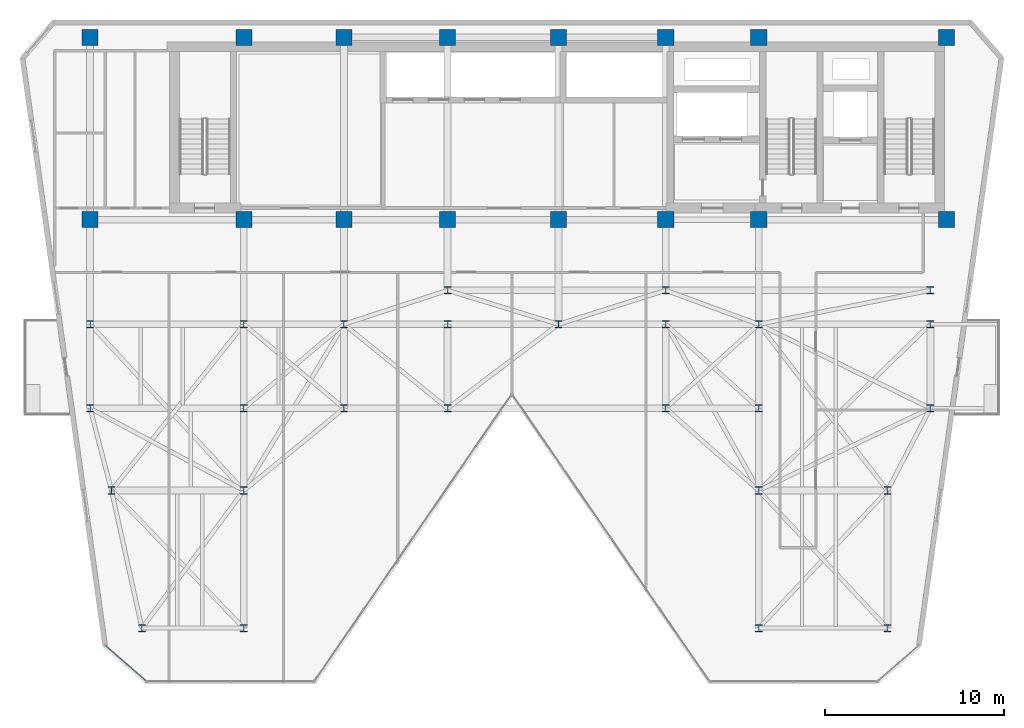
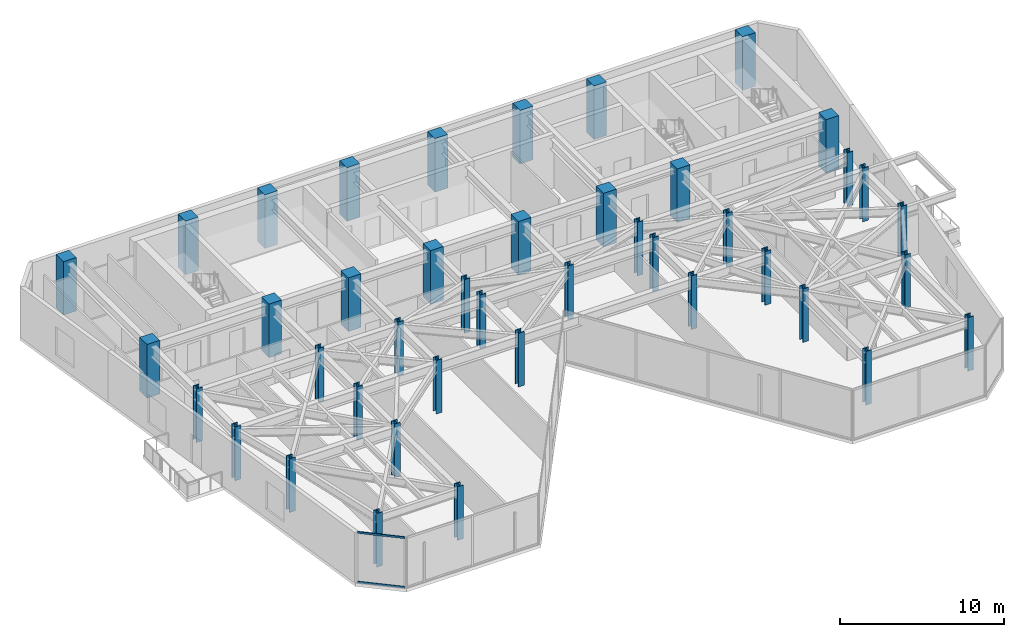
# One storey, part 1 of 21: 42 columns, 2 members, 1 element without a shape of its own.
"""IFC4 building model written with IfcOpenShell, lengths in metres."""

from ifc_helpers import new_model, si_unit, direction, frame, origin, origin_2d, place, context, subcontext, project, spatial, rectangle, hollow_rectangle, i_section, extrude, material, layer, layer_set, material_profile, profile_set, type_object, element, aggregate, save


model = new_model("IFC4")

# Units and contexts
model_context = context("Model", 3, precision=1e-05, world=origin(), true_north=direction((0.0, 1.0)))
body_context = subcontext(model_context, "Body", "Model", "MODEL_VIEW")
ifc_project = project(units=[si_unit("LENGTHUNIT", "METRE"), si_unit("AREAUNIT", "SQUARE_METRE"), si_unit("VOLUMEUNIT", "CUBIC_METRE"), si_unit("PLANEANGLEUNIT", "RADIAN"), si_unit("MASSUNIT", "GRAM", prefix="KILO")], contexts=[model_context])

# Site, building, storey
site_placement = place(None, origin())
site = spatial("IfcSite", under=ifc_project, at=site_placement, CompositionType="ELEMENT")
building_placement = place(site_placement, origin())
building = spatial("IfcBuilding", under=site, at=building_placement, Name="Kravanh Interchange Tower", CompositionType="ELEMENT")
storey_placement = place(building_placement, frame((0.0, 0.0, 184.5)))
storey = spatial("IfcBuildingStorey", under=building, at=storey_placement, Name="L44", CompositionType="ELEMENT", Elevation=184.5)

# Columns
ifc_material_1 = material(Name="Concrete C60/75", Category="concrete")
ifc_material_profile_1 = material_profile(ifc_material_1, rectangle(XDim=0.89990234375, YDim=0.89990234375, at=origin_2d()), Name="RC900X900")
ifc_profile_set_1 = profile_set([ifc_material_profile_1], Name="Concrete C60/75")
column_type_1 = type_object("IfcColumnType", Name="Column RC900X900 Concrete C60/75", PredefinedType="COLUMN", material=ifc_profile_set_1)
for number, where, z_axis, x_axis, name in (
    (1, (66.5, 47.550048828125, 0.0), (0.0, 0.0, 1.0), (1.0, 0.0, 0.0), "L44 Column CS01"),
    (2, (56.0, 47.550048828125, 0.0), (0.0, 0.0, 1.0), (1.0, 0.0, 0.0), "L44 Column CS02"),
    (3, (66.5, 37.35009765625, 0.0), (0.0, 0.0, 1.0), (1.0, 0.0, 0.0), "L44 Column CS03"),
    (4, (56.0, 37.35009765625, 0.0), (0.0, 0.0, 1.0), (1.0, 0.0, 0.0), "L44 Column CS04"),
    (5, (50.800048828125, 47.550048828125, 0.0), (0.0, 0.0, 1.0), (1.0, 0.0, 0.0), "L44 Column CS05"),
    (6, (50.800048828125, 37.35009765625, 0.0), (0.0, 0.0, 1.0), (1.0, 0.0, 0.0), "L44 Column CS06"),
    (7, (44.800048828125, 37.35009765625, 0.0), (0.0, 0.0, 1.0), (1.0, 0.0, 0.0), "L44 Column CS07"),
    (8, (44.800048828125, 47.550048828125, 0.0), (0.0, 0.0, 1.0), (1.0, 0.0, 0.0), "L44 Column CS08"),
    (9, (38.60009765625, 37.35009765625, 0.0), (0.0, 0.0, 1.0), (1.0, 0.0, 0.0), "L44 Column CS09"),
    (10, (38.60009765625, 47.550048828125, 0.0), (0.0, 0.0, 1.0), (1.0, 0.0, 0.0), "L44 Column CS10"),
    (11, (32.800048828125, 37.35009765625, 0.0), (0.0, 0.0, 1.0), (1.0, 0.0, 0.0), "L44 Column CS11"),
    (12, (32.800048828125, 47.550048828125, 0.0), (0.0, 0.0, 1.0), (1.0, 0.0, 0.0), "L44 Column CS12"),
    (13, (27.199951171875, 37.35009765625, 0.0), (0.0, 0.0, 1.0), (1.0, 0.0, 0.0), "L44 Column CS13"),
    (14, (27.199951171875, 47.550048828125, 0.0), (0.0, 0.0, 1.0), (1.0, 0.0, 0.0), "L44 Column CS14"),
    (15, (18.60009765625, 37.35009765625, 0.0), (0.0, 0.0, 1.0), (1.0, 0.0, 0.0), "L44 Column CS17"),
    (16, (18.60009765625, 47.550048828125, 0.0), (0.0, 0.0, 1.0), (1.0, 0.0, 0.0), "L44 Column CS18"),
):
    element("IfcColumn", number, at=place(storey_placement, frame(where, z_axis=z_axis, x_axis=x_axis)), inside=storey, type_object=column_type_1, Name=name, PredefinedType="COLUMN", context=body_context, shape_type="SweptSolid", body=[
        extrude(rectangle(XDim=0.89990234375, YDim=0.89990234375, at=origin_2d()), origin(), (0.0, 0.0, 1.0), 4.0),
    ])
ifc_material_2 = material(Name="Structural Steel S355", Category="steel")
ifc_material_profile_2 = material_profile(ifc_material_2, i_section(OverallWidth=0.408935546875, OverallDepth=0.425048828125, WebThickness=0.03271484375, FlangeThickness=0.052490234375, FilletRadius=0.030029296875, at=origin_2d()), Name="W14X283")
ifc_profile_set_2 = profile_set([ifc_material_profile_2], Name="Structural Steel S355")
column_type_2 = type_object("IfcColumnType", Name="Column W14X283 Structural Steel S355", PredefinedType="COLUMN", material=ifc_profile_set_2)
for number, where, z_axis, x_axis, name in (
    (17, (21.5, 14.5, 0.0), (0.0, 0.0, 1.0), (1.0, 0.0, 0.0), "L44 Column CZ3_1"),
    (18, (18.60009765625, 26.800048828125, 0.0), (0.0, 0.0, 1.0), (1.0, 0.0, 0.0), "L44 Column CZ3_11"),
    (19, (27.199951171875, 26.800048828125, 0.0), (0.0, 0.0, 1.0), (1.0, 0.0, 0.0), "L44 Column CZ3_12"),
    (20, (32.800048828125, 26.800048828125, 0.0), (0.0, 0.0, 1.0), (1.0, 0.0, 0.0), "L44 Column CZ3_13"),
    (21, (38.60009765625, 26.800048828125, 0.0), (0.0, 0.0, 1.0), (1.0, 0.0, 0.0), "L44 Column CZ3_13B"),
    (22, (50.800048828125, 26.800048828125, 0.0), (0.0, 0.0, 1.0), (1.0, 0.0, 0.0), "L44 Column CZ3_14"),
    (23, (56.0, 26.800048828125, 0.0), (0.0, 0.0, 1.0), (1.0, 0.0, 0.0), "L44 Column CZ3_15"),
    (24, (65.60009765625, 26.800048828125, 0.0), (0.0, 0.0, 1.0), (1.0, 0.0, 0.0), "L44 Column CZ3_16"),
    (25, (18.60009765625, 31.5, 0.0), (0.0, 0.0, 1.0), (1.0, 0.0, 0.0), "L44 Column CZ3_17"),
    (26, (27.199951171875, 31.5, 0.0), (0.0, 0.0, 1.0), (1.0, 0.0, 0.0), "L44 Column CZ3_18"),
    (27, (32.800048828125, 31.5, 0.0), (0.0, 0.0, 1.0), (1.0, 0.0, 0.0), "L44 Column CZ3_19"),
    (28, (27.199951171875, 14.5, 0.0), (0.0, 0.0, 1.0), (1.0, 0.0, 0.0), "L44 Column CZ3_2"),
    (29, (38.60009765625, 31.5, 0.0), (0.0, 0.0, 1.0), (1.0, 0.0, 0.0), "L44 Column CZ3_20"),
    (30, (44.800048828125, 31.5, 0.0), (0.0, 0.0, 1.0), (1.0, 0.0, 0.0), "L44 Column CZ3_21"),
    (31, (50.800048828125, 31.5, 0.0), (0.0, 0.0, 1.0), (1.0, 0.0, 0.0), "L44 Column CZ3_22"),
    (32, (56.0, 31.5, 0.0), (0.0, 0.0, 1.0), (1.0, 0.0, 0.0), "L44 Column CZ3_23"),
    (33, (65.60009765625, 31.5, 0.0), (0.0, 0.0, 1.0), (1.0, 0.0, 0.0), "L44 Column CZ3_24"),
    (34, (56.0, 14.5, 0.0), (0.0, 0.0, 1.0), (1.0, 0.0, 0.0), "L44 Column CZ3_3"),
    (35, (63.199951171875, 14.5, 0.0), (0.0, 0.0, 1.0), (1.0, 0.0, 0.0), "L44 Column CZ3_4"),
    (36, (19.800048828125, 22.199951171875, 0.0), (0.0, 0.0, 1.0), (1.0, 0.0, 0.0), "L44 Column CZ3_5"),
    (37, (27.199951171875, 22.199951171875, 0.0), (0.0, 0.0, 1.0), (1.0, 0.0, 0.0), "L44 Column CZ3_6"),
    (38, (56.0, 22.199951171875, 0.0), (0.0, 0.0, 1.0), (1.0, 0.0, 0.0), "L44 Column CZ3_8"),
    (39, (63.199951171875, 22.199951171875, 0.0), (0.0, 0.0, 1.0), (1.0, 0.0, 0.0), "L44 Column CZ3_9"),
    (40, (38.60009765625, 33.39990234375, 0.0), (0.0, 0.0, 1.0), (1.0, 0.0, 0.0), "L44 Column CZ3_M1"),
    (41, (50.800048828125, 33.39990234375, 0.0), (0.0, 0.0, 1.0), (1.0, 0.0, 0.0), "L44 Column CZ3_M2"),
    (42, (65.60009765625, 33.39990234375, 0.0), (0.0, 0.0, 1.0), (1.0, 0.0, 0.0), "L44 Column CZ3_M3"),
):
    element("IfcColumn", number, at=place(storey_placement, frame(where, z_axis=z_axis, x_axis=x_axis)), inside=storey, type_object=column_type_2, Name=name, PredefinedType="COLUMN", context=body_context, shape_type="SweptSolid", body=[
        extrude(i_section(OverallWidth=0.408935546875, OverallDepth=0.425048828125, WebThickness=0.03271484375, FlangeThickness=0.052490234375, FilletRadius=0.030029296875, at=origin_2d()), origin(), (0.0, 0.0, 1.0), 4.0),
    ])

# Curtain wall, members
ifc_material_3 = material(Name="Anodised Bronze Aluminium", Category="aluminium")
ifc_layer = layer(ifc_material_3, 0.179931640625)
ifc_layer_set = layer_set([ifc_layer], Name="Unitised Curtain Wall System CW-Z3 Upper Office")
curtain_wall_type = type_object("IfcCurtainWallType", Name="Unitised Curtain Wall System CW-Z3 Upper Office", PredefinedType="NOTDEFINED", material=ifc_layer_set)
curtain_wall_placement = place(storey_placement, origin())
curtain_wall = element("IfcCurtainWall", 43, at=curtain_wall_placement, inside=storey, type_object=curtain_wall_type, Name="L44 Unitised Curtain Wall CW-L44-06", PredefinedType="NOTDEFINED")
ifc_material_4 = material(Name="Anodised Bronze Aluminium", Category="aluminium")
ifc_material_profile_3 = material_profile(ifc_material_4, hollow_rectangle(XDim=0.06005859375, YDim=0.139892578125, WallThickness=0.00390625, at=origin_2d()), Name="ALU60X140X4")
ifc_profile_set_3 = profile_set([ifc_material_profile_3], Name="Anodised Bronze Aluminium")
member_type = type_object("IfcMemberType", Name="Curtain Wall Transom ALU60X140X4 Bronze", PredefinedType="USERDEFINED", material=ifc_profile_set_3)
member_1_placement = place(storey_placement, frame((21.713623046875, 11.559326171875, 0.030029296875), z_axis=(-0.754708504141, 0.656060266879, 0.0), x_axis=(-0.656060266879, -0.754708504141, 0.0)))
member_1 = element("IfcMember", 44, at=member_1_placement, type_object=member_type, Name="CW-Z3 transom 1.1", ObjectType="TRANSOM", PredefinedType="USERDEFINED", context=body_context, shape_type="SweptSolid", body=[
    extrude(hollow_rectangle(XDim=0.06005859375, YDim=0.139892578125, WallThickness=0.00390625, at=origin_2d()), origin(), (0.0, 0.0, 1.0), 2.9599609375),
])
member_2_placement = place(storey_placement, frame((21.713623046875, 11.559326171875, 3.72509765625), z_axis=(-0.754708504141, 0.656060266879, 0.0), x_axis=(-0.656060266879, -0.754708504141, 0.0)))
member_2 = element("IfcMember", 45, at=member_2_placement, type_object=member_type, Name="CW-Z3 transom 1.2", ObjectType="TRANSOM", PredefinedType="USERDEFINED", context=body_context, shape_type="SweptSolid", body=[
    extrude(hollow_rectangle(XDim=0.06005859375, YDim=0.139892578125, WallThickness=0.00390625, at=origin_2d()), origin(), (0.0, 0.0, 1.0), 2.9599609375),
])
aggregate(curtain_wall, [member_1, member_2])

save(model, "model.ifc")
